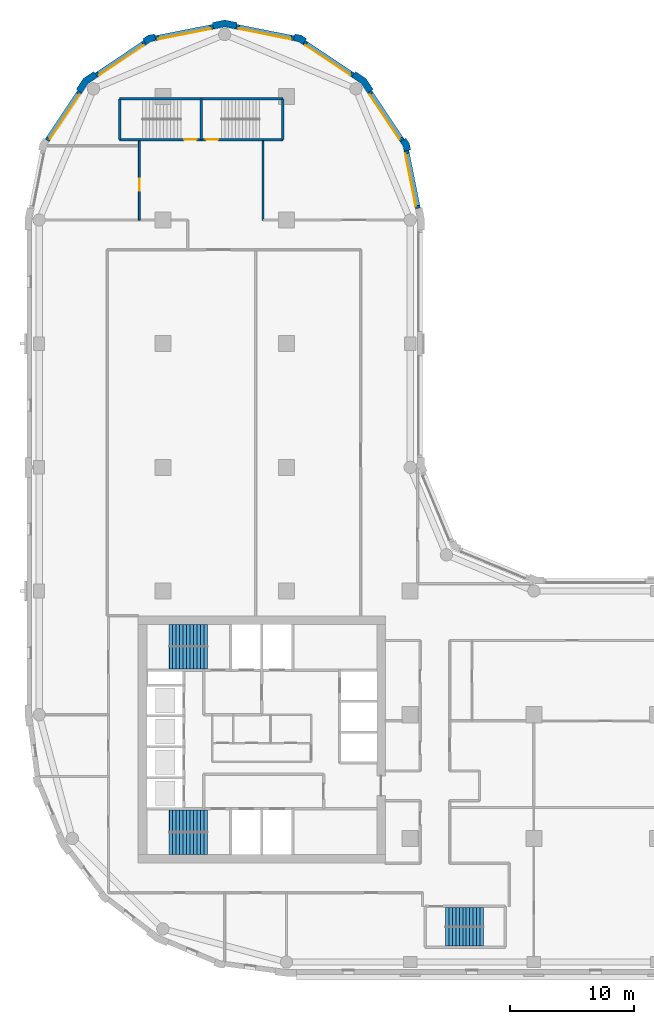
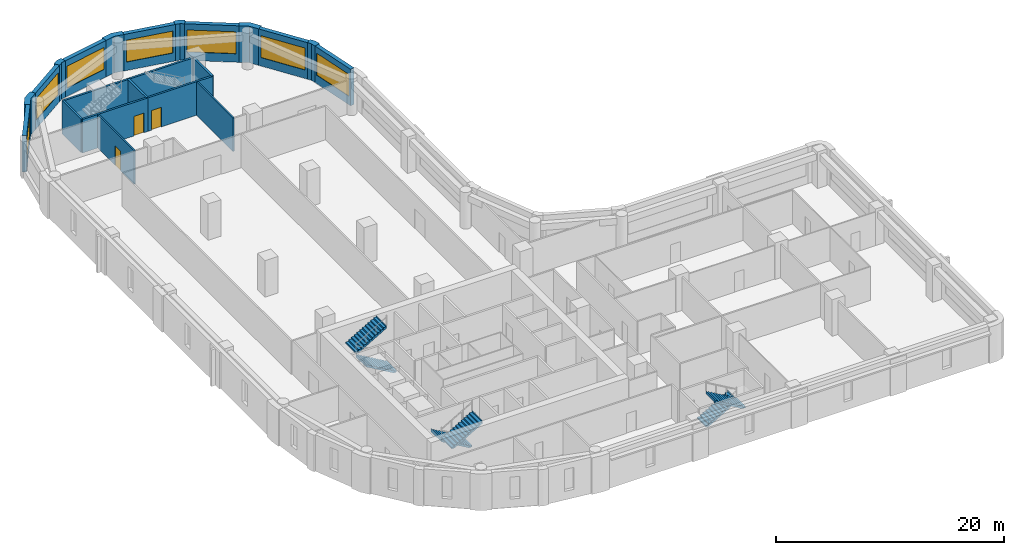
# One storey, part 6 of 9: 22 walls, 7 windows, 6 stair flights, 3 doors, 10 openings, 3 elements without a shape of their own.
"""IFC4 building model written with IfcOpenShell, lengths in metres."""

from ifc_helpers import new_model, si_unit, direction, frame, frame_2d, origin, place, context, subcontext, project, spatial, polyline, rectangle, outline, extrude, material, layer, layer_set, type_object, element, fill, aggregate, save


model = new_model("IFC4")

# Units and contexts
model_context = context("Model", 3, precision=1e-05, world=origin(), true_north=direction((0.0, 1.0)))
body_context = subcontext(model_context, "Body", "Model", "MODEL_VIEW")
ifc_project = project(units=[si_unit("LENGTHUNIT", "METRE"), si_unit("AREAUNIT", "SQUARE_METRE"), si_unit("VOLUMEUNIT", "CUBIC_METRE"), si_unit("PLANEANGLEUNIT", "RADIAN"), si_unit("MASSUNIT", "GRAM", prefix="KILO")], contexts=[model_context])

# Site, building, storey
site_placement = place(None, origin())
site = spatial("IfcSite", under=ifc_project, at=site_placement, CompositionType="ELEMENT")
building_placement = place(site_placement, origin())
building = spatial("IfcBuilding", under=site, at=building_placement, Name="Qaws Garden Tower", CompositionType="ELEMENT")
storey_placement = place(building_placement, frame((0.0, 0.0, 225.300048828125)))
storey = spatial("IfcBuildingStorey", under=building, at=storey_placement, Name="L55", CompositionType="ELEMENT", Elevation=225.300048828125)

# Wall, opening, window
ifc_material_1 = material(Name="Clay facing brick masonry", Category="masonry")
ifc_layer_1 = layer(ifc_material_1, 0.39990234375)
ifc_layer_set_1 = layer_set([ifc_layer_1], Name="Clay facing brick masonry")
wall_type_1 = type_object("IfcWallType", Name="Brick infill wall 400", PredefinedType="SOLIDWALL", material=ifc_layer_set_1)
wall_1_placement = place(storey_placement, frame((30.628662109375, 60.940673828125, 0.0), z_axis=(0.0, 0.0, 1.0), x_axis=(-0.195098533057, 0.98078364709, 0.0)))
wall_1 = element("IfcWall", 1, at=wall_1_placement, inside=storey, type_object=wall_type_1, Name="E-L55-infill-13", PredefinedType="SOLIDWALL", context=body_context, shape_type="SweptSolid", body=[
    extrude(rectangle(XDim=4.752685546875, YDim=0.39990234375, at=frame_2d((2.37646484375, 0.0))), origin(), (0.0, 0.0, 1.0), 3.89990234375),
])
opening_1_placement = place(wall_1_placement, frame((0.226318359375, 0.0, 0.89990234375)))
opening_1 = element("IfcOpeningElement", 2, at=opening_1_placement, cuts=wall_1, Name="Opening W06", PredefinedType="OPENING", context=body_context, shape_type="SweptSolid", body=[
    extrude(rectangle(XDim=4.300048828125, YDim=2.35009765625, at=frame_2d((2.14990234375, 1.175048828125))), frame((0.0, 0.2099609375, 0.0), z_axis=(0.0, -1.0, 0.0), x_axis=(1.0, 0.0, 0.0)), (0.0, 0.0, 1.0), 0.419921875),
])
ifc_material_2 = material(Name="Aluminium framed window, clear glazing", Category="aluminium")
window_type = type_object("IfcWindowType", Name="Ribbon window 4300 x 2350", PartitioningType="DOUBLE_PANEL_VERTICAL", PredefinedType="WINDOW", material=ifc_material_2)
window_1_placement = place(opening_1_placement, origin())
window_1 = element("IfcWindow", 3, at=window_1_placement, inside=storey, type_object=window_type, Name="E-L55-window-13-0", OverallHeight=2.35009765625, OverallWidth=4.300048828125, PartitioningType="SINGLE_PANEL", PredefinedType="WINDOW", context=body_context, shape_type="SweptSolid", body=[
    extrude(rectangle(XDim=4.300048828125, YDim=2.35009765625, at=frame_2d((2.14990234375, 1.175048828125))), frame((0.0, 0.159912109375, 0.0), z_axis=(0.0, -1.0, 0.0), x_axis=(1.0, 0.0, 0.0)), (0.0, 0.0, 1.0), 0.06005859375),
])
fill(opening_1, window_1)

wall_2_placement = place(storey_placement, frame((29.356689453125, 66.43408203125, 0.0), z_axis=(0.0, 0.0, 1.0), x_axis=(-0.555541552266, 0.831488775454, 0.0)))
wall_2 = element("IfcWall", 4, at=wall_2_placement, inside=storey, type_object=wall_type_1, Name="E-L55-infill-14", PredefinedType="SOLIDWALL", context=body_context, shape_type="SweptSolid", body=[
    extrude(rectangle(XDim=4.752685546875, YDim=0.39990234375, at=frame_2d((2.37646484375, 0.0))), origin(), (0.0, 0.0, 1.0), 3.89990234375),
])
opening_2_placement = place(wall_2_placement, frame((0.226318359375, 0.0, 0.89990234375)))
opening_2 = element("IfcOpeningElement", 5, at=opening_2_placement, cuts=wall_2, Name="Opening W06", PredefinedType="OPENING", context=body_context, shape_type="SweptSolid", body=[
    extrude(rectangle(XDim=4.300048828125, YDim=2.35009765625, at=frame_2d((2.14990234375, 1.175048828125))), frame((0.0, 0.2099609375, 0.0), z_axis=(0.0, -1.0, 0.0), x_axis=(1.0, 0.0, 0.0)), (0.0, 0.0, 1.0), 0.419921875),
])
window_2_placement = place(opening_2_placement, origin())
window_2 = element("IfcWindow", 6, at=window_2_placement, inside=storey, type_object=window_type, Name="E-L55-window-14-0", OverallHeight=2.35009765625, OverallWidth=4.300048828125, PartitioningType="SINGLE_PANEL", PredefinedType="WINDOW", context=body_context, shape_type="SweptSolid", body=[
    extrude(rectangle(XDim=4.300048828125, YDim=2.35009765625, at=frame_2d((2.14990234375, 1.175048828125))), frame((0.0, 0.159912109375, 0.0), z_axis=(0.0, -1.0, 0.0), x_axis=(1.0, 0.0, 0.0)), (0.0, 0.0, 1.0), 0.06005859375),
])
fill(opening_2, window_2)

wall_3_placement = place(storey_placement, frame((25.385986328125, 71.71630859375, 0.0), z_axis=(0.0, 0.0, 1.0), x_axis=(-0.831488775454, 0.555541552266, 0.0)))
wall_3 = element("IfcWall", 7, at=wall_3_placement, inside=storey, type_object=wall_type_1, Name="E-L55-infill-15", PredefinedType="SOLIDWALL", context=body_context, shape_type="SweptSolid", body=[
    extrude(rectangle(XDim=4.752685546875, YDim=0.39990234375, at=frame_2d((2.37646484375, 0.0))), origin(), (0.0, 0.0, 1.0), 3.89990234375),
])
opening_3_placement = place(wall_3_placement, frame((0.226318359375, 0.0, 0.89990234375)))
opening_3 = element("IfcOpeningElement", 8, at=opening_3_placement, cuts=wall_3, Name="Opening W06", PredefinedType="OPENING", context=body_context, shape_type="SweptSolid", body=[
    extrude(rectangle(XDim=4.300048828125, YDim=2.35009765625, at=frame_2d((2.14990234375, 1.175048828125))), frame((0.0, 0.2099609375, 0.0), z_axis=(0.0, -1.0, 0.0), x_axis=(1.0, 0.0, 0.0)), (0.0, 0.0, 1.0), 0.419921875),
])
window_3_placement = place(opening_3_placement, origin())
window_3 = element("IfcWindow", 9, at=window_3_placement, inside=storey, type_object=window_type, Name="E-L55-window-15-0", OverallHeight=2.35009765625, OverallWidth=4.300048828125, PartitioningType="SINGLE_PANEL", PredefinedType="WINDOW", context=body_context, shape_type="SweptSolid", body=[
    extrude(rectangle(XDim=4.300048828125, YDim=2.35009765625, at=frame_2d((2.14990234375, 1.175048828125))), frame((0.0, 0.159912109375, 0.0), z_axis=(0.0, -1.0, 0.0), x_axis=(1.0, 0.0, 0.0)), (0.0, 0.0, 1.0), 0.06005859375),
])
fill(opening_3, window_3)

wall_4_placement = place(storey_placement, frame((20.60205078125, 74.701416015625, 0.0), z_axis=(0.0, 0.0, 1.0), x_axis=(-0.98078364709, 0.195098533057, 0.0)))
wall_4 = element("IfcWall", 10, at=wall_4_placement, inside=storey, type_object=wall_type_1, Name="E-L55-infill-16", PredefinedType="SOLIDWALL", context=body_context, shape_type="SweptSolid", body=[
    extrude(rectangle(XDim=4.752685546875, YDim=0.39990234375, at=frame_2d((2.37646484375, 0.0))), origin(), (0.0, 0.0, 1.0), 3.89990234375),
])
opening_4_placement = place(wall_4_placement, frame((0.226318359375, 0.0, 0.89990234375)))
opening_4 = element("IfcOpeningElement", 11, at=opening_4_placement, cuts=wall_4, Name="Opening W06", PredefinedType="OPENING", context=body_context, shape_type="SweptSolid", body=[
    extrude(rectangle(XDim=4.300048828125, YDim=2.35009765625, at=frame_2d((2.14990234375, 1.175048828125))), frame((0.0, 0.2099609375, 0.0), z_axis=(0.0, -1.0, 0.0), x_axis=(1.0, 0.0, 0.0)), (0.0, 0.0, 1.0), 0.419921875),
])
window_4_placement = place(opening_4_placement, origin())
window_4 = element("IfcWindow", 12, at=window_4_placement, inside=storey, type_object=window_type, Name="E-L55-window-16-0", OverallHeight=2.35009765625, OverallWidth=4.300048828125, PartitioningType="SINGLE_PANEL", PredefinedType="WINDOW", context=body_context, shape_type="SweptSolid", body=[
    extrude(rectangle(XDim=4.300048828125, YDim=2.35009765625, at=frame_2d((2.14990234375, 1.175048828125))), frame((0.0, 0.159912109375, 0.0), z_axis=(0.0, -1.0, 0.0), x_axis=(1.0, 0.0, 0.0)), (0.0, 0.0, 1.0), 0.06005859375),
])
fill(opening_4, window_4)

wall_5_placement = place(storey_placement, frame((14.059326171875, 75.628662109375, 0.0), z_axis=(0.0, 0.0, 1.0), x_axis=(-0.98078364709, -0.195098533057, 0.0)))
wall_5 = element("IfcWall", 13, at=wall_5_placement, inside=storey, type_object=wall_type_1, Name="E-L55-infill-17", PredefinedType="SOLIDWALL", context=body_context, shape_type="SweptSolid", body=[
    extrude(rectangle(XDim=4.752685546875, YDim=0.39990234375, at=frame_2d((2.37646484375, 0.0))), origin(), (0.0, 0.0, 1.0), 3.89990234375),
])
opening_5_placement = place(wall_5_placement, frame((0.226318359375, 0.0, 0.89990234375)))
opening_5 = element("IfcOpeningElement", 14, at=opening_5_placement, cuts=wall_5, Name="Opening W06", PredefinedType="OPENING", context=body_context, shape_type="SweptSolid", body=[
    extrude(rectangle(XDim=4.300048828125, YDim=2.35009765625, at=frame_2d((2.14990234375, 1.175048828125))), frame((0.0, 0.2099609375, 0.0), z_axis=(0.0, -1.0, 0.0), x_axis=(1.0, 0.0, 0.0)), (0.0, 0.0, 1.0), 0.419921875),
])
window_5_placement = place(opening_5_placement, origin())
window_5 = element("IfcWindow", 15, at=window_5_placement, inside=storey, type_object=window_type, Name="E-L55-window-17-0", OverallHeight=2.35009765625, OverallWidth=4.300048828125, PartitioningType="SINGLE_PANEL", PredefinedType="WINDOW", context=body_context, shape_type="SweptSolid", body=[
    extrude(rectangle(XDim=4.300048828125, YDim=2.35009765625, at=frame_2d((2.14990234375, 1.175048828125))), frame((0.0, 0.159912109375, 0.0), z_axis=(0.0, -1.0, 0.0), x_axis=(1.0, 0.0, 0.0)), (0.0, 0.0, 1.0), 0.06005859375),
])
fill(opening_5, window_5)

wall_6_placement = place(storey_placement, frame((8.56591796875, 74.356689453125, 0.0), z_axis=(0.0, 0.0, 1.0), x_axis=(-0.831488775454, -0.555541552266, 0.0)))
wall_6 = element("IfcWall", 16, at=wall_6_placement, inside=storey, type_object=wall_type_1, Name="E-L55-infill-18", PredefinedType="SOLIDWALL", context=body_context, shape_type="SweptSolid", body=[
    extrude(rectangle(XDim=4.752685546875, YDim=0.39990234375, at=frame_2d((2.37646484375, 0.0))), origin(), (0.0, 0.0, 1.0), 3.89990234375),
])
opening_6_placement = place(wall_6_placement, frame((0.226318359375, 0.0, 0.89990234375)))
opening_6 = element("IfcOpeningElement", 17, at=opening_6_placement, cuts=wall_6, Name="Opening W06", PredefinedType="OPENING", context=body_context, shape_type="SweptSolid", body=[
    extrude(rectangle(XDim=4.300048828125, YDim=2.35009765625, at=frame_2d((2.14990234375, 1.175048828125))), frame((0.0, 0.2099609375, 0.0), z_axis=(0.0, -1.0, 0.0), x_axis=(1.0, 0.0, 0.0)), (0.0, 0.0, 1.0), 0.419921875),
])
window_6_placement = place(opening_6_placement, origin())
window_6 = element("IfcWindow", 18, at=window_6_placement, inside=storey, type_object=window_type, Name="E-L55-window-18-0", OverallHeight=2.35009765625, OverallWidth=4.300048828125, PartitioningType="SINGLE_PANEL", PredefinedType="WINDOW", context=body_context, shape_type="SweptSolid", body=[
    extrude(rectangle(XDim=4.300048828125, YDim=2.35009765625, at=frame_2d((2.14990234375, 1.175048828125))), frame((0.0, 0.159912109375, 0.0), z_axis=(0.0, -1.0, 0.0), x_axis=(1.0, 0.0, 0.0)), (0.0, 0.0, 1.0), 0.06005859375),
])
fill(opening_6, window_6)

wall_7_placement = place(storey_placement, frame((3.28369140625, 70.385986328125, 0.0), z_axis=(0.0, 0.0, 1.0), x_axis=(-0.555541552266, -0.831488775454, 0.0)))
wall_7 = element("IfcWall", 19, at=wall_7_placement, inside=storey, type_object=wall_type_1, Name="E-L55-infill-19", PredefinedType="SOLIDWALL", context=body_context, shape_type="SweptSolid", body=[
    extrude(rectangle(XDim=4.752685546875, YDim=0.39990234375, at=frame_2d((2.37646484375, 0.0))), origin(), (0.0, 0.0, 1.0), 3.89990234375),
])
opening_7_placement = place(wall_7_placement, frame((0.226318359375, 0.0, 0.89990234375)))
opening_7 = element("IfcOpeningElement", 20, at=opening_7_placement, cuts=wall_7, Name="Opening W06", PredefinedType="OPENING", context=body_context, shape_type="SweptSolid", body=[
    extrude(rectangle(XDim=4.300048828125, YDim=2.35009765625, at=frame_2d((2.14990234375, 1.175048828125))), frame((0.0, 0.2099609375, 0.0), z_axis=(0.0, -1.0, 0.0), x_axis=(1.0, 0.0, 0.0)), (0.0, 0.0, 1.0), 0.419921875),
])
window_7_placement = place(opening_7_placement, origin())
window_7 = element("IfcWindow", 21, at=window_7_placement, inside=storey, type_object=window_type, Name="E-L55-window-19-0", OverallHeight=2.35009765625, OverallWidth=4.300048828125, PartitioningType="SINGLE_PANEL", PredefinedType="WINDOW", context=body_context, shape_type="SweptSolid", body=[
    extrude(rectangle(XDim=4.300048828125, YDim=2.35009765625, at=frame_2d((2.14990234375, 1.175048828125))), frame((0.0, 0.159912109375, 0.0), z_axis=(0.0, -1.0, 0.0), x_axis=(1.0, 0.0, 0.0)), (0.0, 0.0, 1.0), 0.06005859375),
])
fill(opening_7, window_7)

# Walls
ifc_material_3 = material(Name="Clay facing brick masonry", Category="masonry")
ifc_layer_2 = layer(ifc_material_3, 0.550048828125)
ifc_layer_set_2 = layer_set([ifc_layer_2], Name="Clay facing brick masonry")
wall_type_2 = type_object("IfcWallType", Name="Brick kink pier 550 x 600", PredefinedType="SOLIDWALL", material=ifc_layer_set_2)
placement = place(storey_placement, origin())
element("IfcWall", 22, at=placement, inside=storey, type_object=wall_type_2, Name="E-L55-pier-14", PredefinedType="SOLIDWALL", context=body_context, shape_type="SweptSolid", body=[
    extrude(outline(polyline([(29.8974609375, 65.64111328125), (30.044677734375, 65.67041015625), (29.94140625, 66.18896484375), (29.647705078125, 66.628662109375), (29.52294921875, 66.545166015625), (29.1904296875, 66.322998046875), (29.42333984375, 65.974365234375), (29.505126953125, 65.56298828125), (29.8974609375, 65.64111328125)])), origin(), (0.0, 0.0, 1.0), 3.89990234375),
])
element("IfcWall", 23, at=placement, inside=storey, type_object=wall_type_2, Name="E-L55-pier-16", PredefinedType="SOLIDWALL", context=body_context, shape_type="SweptSolid", body=[
    extrude(outline(polyline([(21.545166015625, 74.52294921875), (21.628662109375, 74.647705078125), (21.18896484375, 74.94140625), (20.67041015625, 75.044677734375), (20.64111328125, 74.8974609375), (20.56298828125, 74.505126953125), (20.974365234375, 74.42333984375), (21.322998046875, 74.1904296875), (21.545166015625, 74.52294921875)])), origin(), (0.0, 0.0, 1.0), 3.89990234375),
])
element("IfcWall", 24, at=placement, inside=storey, type_object=wall_type_2, Name="E-L55-pier-18", PredefinedType="SOLIDWALL", context=body_context, shape_type="SweptSolid", body=[
    extrude(outline(polyline([(9.35888671875, 74.8974609375), (9.32958984375, 75.044677734375), (8.81103515625, 74.94140625), (8.371337890625, 74.647705078125), (8.454833984375, 74.52294921875), (8.677001953125, 74.1904296875), (9.025634765625, 74.42333984375), (9.43701171875, 74.505126953125), (9.35888671875, 74.8974609375)])), origin(), (0.0, 0.0, 1.0), 3.89990234375),
])
ifc_material_4 = material(Name="Clay facing brick masonry", Category="masonry")
ifc_layer_3 = layer(ifc_material_4, 0.550048828125)
ifc_layer_set_3 = layer_set([ifc_layer_3], Name="Clay facing brick masonry")
wall_type_3 = type_object("IfcWallType", Name="Brick pier 550 x 1600", PredefinedType="SOLIDWALL", material=ifc_layer_set_3)
element("IfcWall", 25, at=placement, inside=storey, type_object=wall_type_3, Name="E-L55-pier-15", PredefinedType="SOLIDWALL", context=body_context, shape_type="SweptSolid", body=[
    extrude(outline(polyline([(26.882568359375, 70.4970703125), (27.00732421875, 70.580322265625), (26.435791015625, 71.435791015625), (25.580322265625, 72.00732421875), (25.4970703125, 71.882568359375), (25.274658203125, 71.550048828125), (26.0390625, 71.0390625), (26.550048828125, 70.274658203125), (26.882568359375, 70.4970703125)])), origin(), (0.0, 0.0, 1.0), 3.89990234375),
])
element("IfcWall", 26, at=placement, inside=storey, type_object=wall_type_3, Name="E-L55-pier-17", PredefinedType="SOLIDWALL", context=body_context, shape_type="SweptSolid", body=[
    extrude(outline(polyline([(15.979736328125, 75.82470703125), (16.009033203125, 75.971923828125), (15.0, 76.172607421875), (13.990966796875, 75.971923828125), (14.020263671875, 75.82470703125), (14.098388671875, 75.432373046875), (15.0, 75.61181640625), (15.901611328125, 75.432373046875), (15.979736328125, 75.82470703125)])), origin(), (0.0, 0.0, 1.0), 3.89990234375),
])
element("IfcWall", 27, at=placement, inside=storey, type_object=wall_type_3, Name="E-L55-pier-19", PredefinedType="SOLIDWALL", context=body_context, shape_type="SweptSolid", body=[
    extrude(outline(polyline([(4.5029296875, 71.882568359375), (4.419677734375, 72.00732421875), (3.564208984375, 71.435791015625), (2.99267578125, 70.580322265625), (3.117431640625, 70.4970703125), (3.449951171875, 70.274658203125), (3.9609375, 71.0390625), (4.725341796875, 71.550048828125), (4.5029296875, 71.882568359375)])), origin(), (0.0, 0.0, 1.0), 3.89990234375),
])

# Wall, opening, door
ifc_material_5 = material(Name="Concrete C70", Category="concrete")
ifc_layer_4 = layer(ifc_material_5, 0.199951171875)
ifc_layer_set_4 = layer_set([ifc_layer_4], Name="Concrete C70")
wall_type_4 = type_object("IfcWallType", Name="Core shaft wall 200 C70", PredefinedType="SHEAR", material=ifc_layer_set_4)
wall_14_placement = place(storey_placement, frame((6.5, 66.5, 0.0), z_axis=(0.0, 0.0, 1.0), x_axis=(1.0, 0.0, 0.0)))
wall_14 = element("IfcWall", 28, at=wall_14_placement, inside=storey, type_object=wall_type_4, Name="Shaft wall", PredefinedType="SHEAR", context=body_context, shape_type="SweptSolid", body=[
    extrude(rectangle(XDim=6.60009765625, YDim=0.199951171875, at=frame_2d((3.300048828125, 0.0))), origin(), (0.0, 0.0, 1.0), 3.579833984375),
])
opening_8_placement = place(wall_14_placement, frame((5.22509765625, 0.0, 0.0)))
opening_8 = element("IfcOpeningElement", 29, at=opening_8_placement, cuts=wall_14, Name="Opening SD13", PredefinedType="OPENING", context=body_context, shape_type="SweptSolid", body=[
    extrude(rectangle(XDim=1.0, YDim=2.10009765625, at=frame_2d((0.5, 1.050048828125))), frame((0.0, 0.10986328125, 0.0), z_axis=(0.0, -1.0, 0.0), x_axis=(1.0, 0.0, 0.0)), (0.0, 0.0, 1.0), 0.219970703125),
])
ifc_material_6 = material(Name="Steel S235", Category="steel")
door_type_1 = type_object("IfcDoorType", Name="Stair door 1000x2100", OperationType="SINGLE_SWING_RIGHT", PredefinedType="DOOR", material=ifc_material_6)
door_1_placement = place(opening_8_placement, origin())
door_1 = element("IfcDoor", 30, at=door_1_placement, inside=storey, type_object=door_type_1, Name="Stair 6 door", OperationType="SINGLE_SWING_RIGHT", OverallHeight=2.10009765625, OverallWidth=1.0, PredefinedType="DOOR", context=body_context, shape_type="SweptSolid", body=[
    extrude(rectangle(XDim=1.0, YDim=2.10009765625, at=frame_2d((0.5, 1.050048828125))), frame((0.0, 0.02490234375, 0.0), z_axis=(0.0, -1.0, 0.0), x_axis=(1.0, 0.0, 0.0)), (0.0, 0.0, 1.0), 0.050048828125),
])
fill(opening_8, door_1)

wall_15_placement = place(storey_placement, frame((13.10009765625, 66.5, 0.0), z_axis=(0.0, 0.0, 1.0), x_axis=(1.0, 0.0, 0.0)))
wall_15 = element("IfcWall", 31, at=wall_15_placement, inside=storey, type_object=wall_type_4, Name="Shaft wall", PredefinedType="SHEAR", context=body_context, shape_type="SweptSolid", body=[
    extrude(rectangle(XDim=6.599853515625, YDim=0.199951171875, at=frame_2d((3.2998046875, 0.0))), origin(), (0.0, 0.0, 1.0), 3.579833984375),
])
opening_9_placement = place(wall_15_placement, frame((0.375, 0.0, 0.0)))
opening_9 = element("IfcOpeningElement", 32, at=opening_9_placement, cuts=wall_15, Name="Opening SD14", PredefinedType="OPENING", context=body_context, shape_type="SweptSolid", body=[
    extrude(rectangle(XDim=1.0, YDim=2.10009765625, at=frame_2d((0.5, 1.050048828125))), frame((0.0, 0.10986328125, 0.0), z_axis=(0.0, -1.0, 0.0), x_axis=(1.0, 0.0, 0.0)), (0.0, 0.0, 1.0), 0.219970703125),
])
door_2_placement = place(opening_9_placement, origin())
door_2 = element("IfcDoor", 33, at=door_2_placement, inside=storey, type_object=door_type_1, Name="Stair 7 door", OperationType="SINGLE_SWING_LEFT", OverallHeight=2.10009765625, OverallWidth=1.0, PredefinedType="DOOR", context=body_context, shape_type="SweptSolid", body=[
    extrude(rectangle(XDim=1.0, YDim=2.10009765625, at=frame_2d((0.5, 1.050048828125))), frame((0.0, 0.02490234375, 0.0), z_axis=(0.0, -1.0, 0.0), x_axis=(1.0, 0.0, 0.0)), (0.0, 0.0, 1.0), 0.050048828125),
])
fill(opening_9, door_2)

# Walls
wall_16_placement = place(storey_placement, frame((6.5, 69.800048828125, 0.0), z_axis=(0.0, 0.0, 1.0), x_axis=(1.0, 0.0, 0.0)))
element("IfcWall", 34, at=wall_16_placement, inside=storey, type_object=wall_type_4, Name="Shaft wall", PredefinedType="SHEAR", context=body_context, shape_type="SweptSolid", body=[
    extrude(rectangle(XDim=6.60009765625, YDim=0.199951171875, at=frame_2d((3.300048828125, 0.0))), origin(), (0.0, 0.0, 1.0), 3.579833984375),
])
wall_17_placement = place(storey_placement, frame((13.10009765625, 69.800048828125, 0.0), z_axis=(0.0, 0.0, 1.0), x_axis=(1.0, 0.0, 0.0)))
element("IfcWall", 35, at=wall_17_placement, inside=storey, type_object=wall_type_4, Name="Shaft wall", PredefinedType="SHEAR", context=body_context, shape_type="SweptSolid", body=[
    extrude(rectangle(XDim=6.599853515625, YDim=0.199951171875, at=frame_2d((3.2998046875, 0.0))), origin(), (0.0, 0.0, 1.0), 3.579833984375),
])
for number, where, z_axis, x_axis, name in (
    (36, (6.5, 66.5, 0.0), (0.0, 0.0, 1.0), (0.0, 1.0, 0.0), "Shaft wall"),
    (37, (13.10009765625, 66.5, 0.0), (0.0, 0.0, 1.0), (0.0, 1.0, 0.0), "Shaft wall"),
    (38, (19.699951171875, 66.5, 0.0), (0.0, 0.0, 1.0), (0.0, 1.0, 0.0), "Shaft wall"),
):
    element("IfcWall", number, at=place(storey_placement, frame(where, z_axis=z_axis, x_axis=x_axis)), inside=storey, type_object=wall_type_4, Name=name, PredefinedType="SHEAR", context=body_context, shape_type="SweptSolid", body=[
        extrude(rectangle(XDim=3.300048828125, YDim=0.199951171875, at=frame_2d((1.64990234375, 0.0))), origin(), (0.0, 0.0, 1.0), 3.579833984375),
    ])

# Wall, opening, door
ifc_material_7 = material(Name="Gypsum board partition")
ifc_layer_5 = layer(ifc_material_7, 0.14990234375)
ifc_layer_set_5 = layer_set([ifc_layer_5], Name="Gypsum board partition")
wall_type_5 = type_object("IfcWallType", Name="PARTITION 150 EI 60", PredefinedType="PARTITIONING", material=ifc_layer_set_5)
wall_18_placement = place(storey_placement, frame((8.10009765625, 60.0, 0.0), z_axis=(0.0, 0.0, 1.0), x_axis=(0.0, 1.0, 0.0)))
wall_18 = element("IfcWall", 39, at=wall_18_placement, inside=storey, type_object=wall_type_5, Name="O-L55-wall-011", PredefinedType="PARTITIONING", context=body_context, shape_type="SweptSolid", body=[
    extrude(rectangle(XDim=6.39990234375, YDim=0.14990234375, at=frame_2d((3.199951171875, 0.0))), origin(), (0.0, 0.0, 1.0), 3.579833984375),
])
opening_10_placement = place(wall_18_placement, frame((2.35009765625, 0.0, 0.0)))
opening_10 = element("IfcOpeningElement", 40, at=opening_10_placement, cuts=wall_18, Name="Opening B908", PredefinedType="OPENING", context=body_context, shape_type="SweptSolid", body=[
    extrude(rectangle(XDim=1.0, YDim=2.10009765625, at=frame_2d((0.5, 1.050048828125))), frame((0.0, 0.0849609375, 0.0), z_axis=(0.0, -1.0, 0.0), x_axis=(1.0, 0.0, 0.0)), (0.0, 0.0, 1.0), 0.169921875),
])
ifc_material_8 = material(Name="Timber door leaf", Category="wood")
door_type_2 = type_object("IfcDoorType", Name="TENANCY ENTRANCE DOOR 1000 X 2100", OperationType="SINGLE_SWING_LEFT", PredefinedType="DOOR", material=ifc_material_8)
door_3_placement = place(opening_10_placement, origin())
door_3 = element("IfcDoor", 41, at=door_3_placement, inside=storey, type_object=door_type_2, Name="O-L55-door-008", OperationType="SINGLE_SWING_LEFT", OverallHeight=2.10009765625, OverallWidth=1.0, PredefinedType="DOOR", context=body_context, shape_type="SweptSolid", body=[
    extrude(rectangle(XDim=1.0, YDim=2.10009765625, at=frame_2d((0.5, 1.050048828125))), frame((0.0, 0.02490234375, 0.0), z_axis=(0.0, -1.0, 0.0), x_axis=(1.0, 0.0, 0.0)), (0.0, 0.0, 1.0), 0.050048828125),
])
fill(opening_10, door_3)

# Wall
wall_19_placement = place(storey_placement, frame((18.10009765625, 60.0, 0.0), z_axis=(0.0, 0.0, 1.0), x_axis=(0.0, 1.0, 0.0)))
element("IfcWall", 42, at=wall_19_placement, inside=storey, type_object=wall_type_5, Name="O-L55-wall-015", PredefinedType="PARTITIONING", context=body_context, shape_type="SweptSolid", body=[
    extrude(rectangle(XDim=6.39990234375, YDim=0.14990234375, at=frame_2d((3.199951171875, 0.0))), origin(), (0.0, 0.0, 1.0), 3.579833984375),
])

# Stair, stair flights
ifc_material_9 = material(Name="Concrete C40", Category="concrete")
stair_type_1 = type_object("IfcStairType", Name="Exit stair 1350", PredefinedType="HALF_TURN_STAIR", material=ifc_material_9)
stair_1 = element("IfcStair", 43, at=placement, inside=storey, type_object=stair_type_1, Name="Stair 5", PredefinedType="HALF_TURN_STAIR")
ifc_material_10 = material(Name="Concrete C40", Category="concrete")
stair_flight_type_1 = type_object("IfcStairFlightType", Name="Stair flight 1350", PredefinedType="STRAIGHT", material=ifc_material_10)
stair_flight_1_placement = place(storey_placement, frame((32.85009765625, 3.625, 0.0), z_axis=(0.0, 0.0, 1.0), x_axis=(1.0, 0.0, 0.0)))
stair_flight_1 = element("IfcStairFlight", 44, at=stair_flight_1_placement, type_object=stair_flight_type_1, Name="ST5 flight 1", NumberOfRisers=12, NumberOfTreads=11, PredefinedType="STRAIGHT", RiserHeight=0.1625, TreadLength=0.28, context=body_context, shape_type="SweptSolid", body=[
    extrude(outline(polyline([(-0.0029296875, 0.0), (-0.0029296875, 0.16259765625), (0.0, 0.16259765625), (0.280029296875, 0.16259765625), (0.280029296875, 0.324951171875), (0.56005859375, 0.324951171875), (0.56005859375, 0.487548828125), (0.840087890625, 0.487548828125), (0.840087890625, 0.64990234375), (1.1201171875, 0.64990234375), (1.1201171875, 0.8125), (1.39990234375, 0.8125), (1.39990234375, 0.97509765625), (1.679931640625, 0.97509765625), (1.679931640625, 1.137451171875), (1.9599609375, 1.137451171875), (1.9599609375, 1.300048828125), (2.239990234375, 1.300048828125), (2.239990234375, 1.46240234375), (2.52001953125, 1.46240234375), (2.52001953125, 1.625), (2.800048828125, 1.625), (2.800048828125, 1.78759765625), (3.080078125, 1.78759765625), (3.080078125, 1.949951171875), (3.0830078125, 1.949951171875), (3.0830078125, 1.6142578125), (3.080078125, 1.6142578125), (0.298583984375, 0.0), (-0.0029296875, 0.0)])), frame((0.0, 0.77490234375, 0.0), z_axis=(0.0, -1.0, 0.0), x_axis=(1.0, 0.0, 0.0)), (0.0, 0.0, 1.0), 1.550048828125),
])
stair_flight_2_placement = place(storey_placement, frame((35.929931640625, 2.074951171875, 1.949951171875), z_axis=(0.0, 0.0, 1.0), x_axis=(-1.0, 0.0, 0.0)))
stair_flight_2 = element("IfcStairFlight", 45, at=stair_flight_2_placement, type_object=stair_flight_type_1, Name="ST5 flight 2", NumberOfRisers=12, NumberOfTreads=11, PredefinedType="STRAIGHT", RiserHeight=0.1625, TreadLength=0.28, context=body_context, shape_type="SweptSolid", body=[
    extrude(outline(polyline([(-0.0029296875, 0.0), (-0.0029296875, 0.16259765625), (0.0, 0.16259765625), (0.280029296875, 0.16259765625), (0.280029296875, 0.324951171875), (0.56005859375, 0.324951171875), (0.56005859375, 0.487548828125), (0.840087890625, 0.487548828125), (0.840087890625, 0.64990234375), (1.1201171875, 0.64990234375), (1.1201171875, 0.8125), (1.39990234375, 0.8125), (1.39990234375, 0.97509765625), (1.679931640625, 0.97509765625), (1.679931640625, 1.137451171875), (1.9599609375, 1.137451171875), (1.9599609375, 1.300048828125), (2.239990234375, 1.300048828125), (2.239990234375, 1.46240234375), (2.52001953125, 1.46240234375), (2.52001953125, 1.625), (2.800048828125, 1.625), (2.800048828125, 1.78759765625), (3.080078125, 1.78759765625), (3.080078125, 1.949951171875), (3.0830078125, 1.949951171875), (3.0830078125, 1.6142578125), (3.080078125, 1.6142578125), (0.298583984375, 0.0), (-0.0029296875, 0.0)])), frame((0.0, 0.77490234375, 0.0), z_axis=(0.0, -1.0, 0.0), x_axis=(1.0, 0.0, 0.0)), (0.0, 0.0, 1.0), 1.550048828125),
])
aggregate(stair_1, [stair_flight_1, stair_flight_2])

ifc_material_11 = material(Name="Concrete C40", Category="concrete")
stair_type_2 = type_object("IfcStairType", Name="Exit stair 1500", PredefinedType="HALF_TURN_STAIR", material=ifc_material_11)
stair_2 = element("IfcStair", 46, at=placement, inside=storey, type_object=stair_type_2, Name="Stair 1", PredefinedType="HALF_TURN_STAIR")
ifc_material_12 = material(Name="Concrete C40", Category="concrete")
stair_flight_type_2 = type_object("IfcStairFlightType", Name="Stair flight 1500", PredefinedType="STRAIGHT", material=ifc_material_12)
stair_flight_3_placement = place(storey_placement, frame((13.60009765625, 11.39990234375, 0.0), z_axis=(0.0, 0.0, 1.0), x_axis=(-1.0, 0.0, 0.0)))
stair_flight_3 = element("IfcStairFlight", 47, at=stair_flight_3_placement, type_object=stair_flight_type_2, Name="ST1 flight 1", NumberOfRisers=12, NumberOfTreads=11, PredefinedType="STRAIGHT", RiserHeight=0.1625, TreadLength=0.28, context=body_context, shape_type="SweptSolid", body=[
    extrude(outline(polyline([(-0.0029296875, 0.0), (-0.0029296875, 0.16259765625), (0.0, 0.16259765625), (0.280029296875, 0.16259765625), (0.280029296875, 0.324951171875), (0.56005859375, 0.324951171875), (0.56005859375, 0.487548828125), (0.840087890625, 0.487548828125), (0.840087890625, 0.64990234375), (1.1201171875, 0.64990234375), (1.1201171875, 0.8125), (1.39990234375, 0.8125), (1.39990234375, 0.97509765625), (1.679931640625, 0.97509765625), (1.679931640625, 1.137451171875), (1.9599609375, 1.137451171875), (1.9599609375, 1.300048828125), (2.239990234375, 1.300048828125), (2.239990234375, 1.46240234375), (2.52001953125, 1.46240234375), (2.52001953125, 1.625), (2.800048828125, 1.625), (2.800048828125, 1.78759765625), (3.080078125, 1.78759765625), (3.080078125, 1.949951171875), (3.0830078125, 1.949951171875), (3.0830078125, 1.6142578125), (3.080078125, 1.6142578125), (0.298583984375, 0.0), (-0.0029296875, 0.0)])), frame((0.0, 0.89990234375, 0.0), z_axis=(0.0, -1.0, 0.0), x_axis=(1.0, 0.0, 0.0)), (0.0, 0.0, 1.0), 1.800048828125),
])
stair_flight_4_placement = place(storey_placement, frame((10.52001953125, 9.60009765625, 1.949951171875), z_axis=(0.0, 0.0, 1.0), x_axis=(1.0, 0.0, 0.0)))
stair_flight_4 = element("IfcStairFlight", 48, at=stair_flight_4_placement, type_object=stair_flight_type_2, Name="ST1 flight 2", NumberOfRisers=12, NumberOfTreads=11, PredefinedType="STRAIGHT", RiserHeight=0.1625, TreadLength=0.28, context=body_context, shape_type="SweptSolid", body=[
    extrude(outline(polyline([(-0.0029296875, 0.0), (-0.0029296875, 0.16259765625), (0.0, 0.16259765625), (0.280029296875, 0.16259765625), (0.280029296875, 0.324951171875), (0.56005859375, 0.324951171875), (0.56005859375, 0.487548828125), (0.840087890625, 0.487548828125), (0.840087890625, 0.64990234375), (1.1201171875, 0.64990234375), (1.1201171875, 0.8125), (1.39990234375, 0.8125), (1.39990234375, 0.97509765625), (1.679931640625, 0.97509765625), (1.679931640625, 1.137451171875), (1.9599609375, 1.137451171875), (1.9599609375, 1.300048828125), (2.239990234375, 1.300048828125), (2.239990234375, 1.46240234375), (2.52001953125, 1.46240234375), (2.52001953125, 1.625), (2.800048828125, 1.625), (2.800048828125, 1.78759765625), (3.080078125, 1.78759765625), (3.080078125, 1.949951171875), (3.0830078125, 1.949951171875), (3.0830078125, 1.6142578125), (3.080078125, 1.6142578125), (0.298583984375, 0.0), (-0.0029296875, 0.0)])), frame((0.0, 0.89990234375, 0.0), z_axis=(0.0, -1.0, 0.0), x_axis=(1.0, 0.0, 0.0)), (0.0, 0.0, 1.0), 1.800048828125),
])
aggregate(stair_2, [stair_flight_3, stair_flight_4])

stair_3 = element("IfcStair", 49, at=placement, inside=storey, type_object=stair_type_2, Name="Stair 4", PredefinedType="HALF_TURN_STAIR")
stair_flight_5_placement = place(storey_placement, frame((13.60009765625, 24.60009765625, 0.0), z_axis=(0.0, 0.0, 1.0), x_axis=(-1.0, 0.0, 0.0)))
stair_flight_5 = element("IfcStairFlight", 50, at=stair_flight_5_placement, type_object=stair_flight_type_2, Name="ST4 flight 1", NumberOfRisers=12, NumberOfTreads=11, PredefinedType="STRAIGHT", RiserHeight=0.1625, TreadLength=0.28, context=body_context, shape_type="SweptSolid", body=[
    extrude(outline(polyline([(-0.0029296875, 0.0), (-0.0029296875, 0.16259765625), (0.0, 0.16259765625), (0.280029296875, 0.16259765625), (0.280029296875, 0.324951171875), (0.56005859375, 0.324951171875), (0.56005859375, 0.487548828125), (0.840087890625, 0.487548828125), (0.840087890625, 0.64990234375), (1.1201171875, 0.64990234375), (1.1201171875, 0.8125), (1.39990234375, 0.8125), (1.39990234375, 0.97509765625), (1.679931640625, 0.97509765625), (1.679931640625, 1.137451171875), (1.9599609375, 1.137451171875), (1.9599609375, 1.300048828125), (2.239990234375, 1.300048828125), (2.239990234375, 1.46240234375), (2.52001953125, 1.46240234375), (2.52001953125, 1.625), (2.800048828125, 1.625), (2.800048828125, 1.78759765625), (3.080078125, 1.78759765625), (3.080078125, 1.949951171875), (3.0830078125, 1.949951171875), (3.0830078125, 1.6142578125), (3.080078125, 1.6142578125), (0.298583984375, 0.0), (-0.0029296875, 0.0)])), frame((0.0, 0.89501953125, 0.0), z_axis=(0.0, -1.0, 0.0), x_axis=(1.0, 0.0, 0.0)), (0.0, 0.0, 1.0), 1.7900390625),
])
stair_flight_6_placement = place(storey_placement, frame((10.52001953125, 26.39990234375, 1.949951171875), z_axis=(0.0, 0.0, 1.0), x_axis=(1.0, 0.0, 0.0)))
stair_flight_6 = element("IfcStairFlight", 51, at=stair_flight_6_placement, type_object=stair_flight_type_2, Name="ST4 flight 2", NumberOfRisers=12, NumberOfTreads=11, PredefinedType="STRAIGHT", RiserHeight=0.1625, TreadLength=0.28, context=body_context, shape_type="SweptSolid", body=[
    extrude(outline(polyline([(-0.0029296875, 0.0), (-0.0029296875, 0.16259765625), (0.0, 0.16259765625), (0.280029296875, 0.16259765625), (0.280029296875, 0.324951171875), (0.56005859375, 0.324951171875), (0.56005859375, 0.487548828125), (0.840087890625, 0.487548828125), (0.840087890625, 0.64990234375), (1.1201171875, 0.64990234375), (1.1201171875, 0.8125), (1.39990234375, 0.8125), (1.39990234375, 0.97509765625), (1.679931640625, 0.97509765625), (1.679931640625, 1.137451171875), (1.9599609375, 1.137451171875), (1.9599609375, 1.300048828125), (2.239990234375, 1.300048828125), (2.239990234375, 1.46240234375), (2.52001953125, 1.46240234375), (2.52001953125, 1.625), (2.800048828125, 1.625), (2.800048828125, 1.78759765625), (3.080078125, 1.78759765625), (3.080078125, 1.949951171875), (3.0830078125, 1.949951171875), (3.0830078125, 1.6142578125), (3.080078125, 1.6142578125), (0.298583984375, 0.0), (-0.0029296875, 0.0)])), frame((0.0, 0.89501953125, 0.0), z_axis=(0.0, -1.0, 0.0), x_axis=(1.0, 0.0, 0.0)), (0.0, 0.0, 1.0), 1.7900390625),
])
aggregate(stair_3, [stair_flight_5, stair_flight_6])

save(model, "model.ifc")
